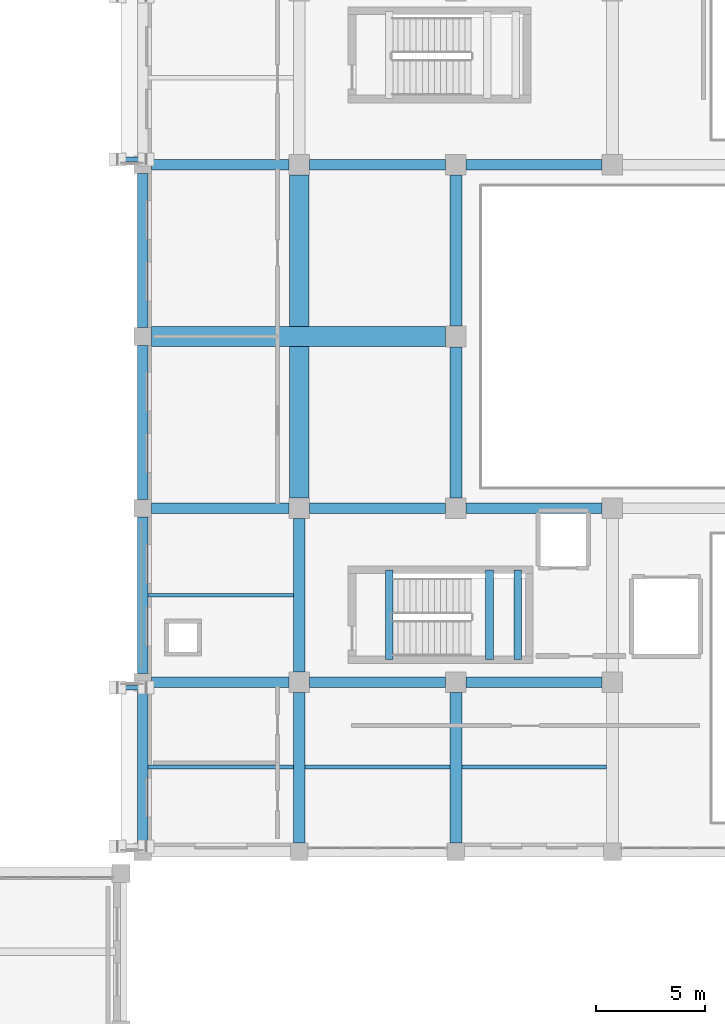
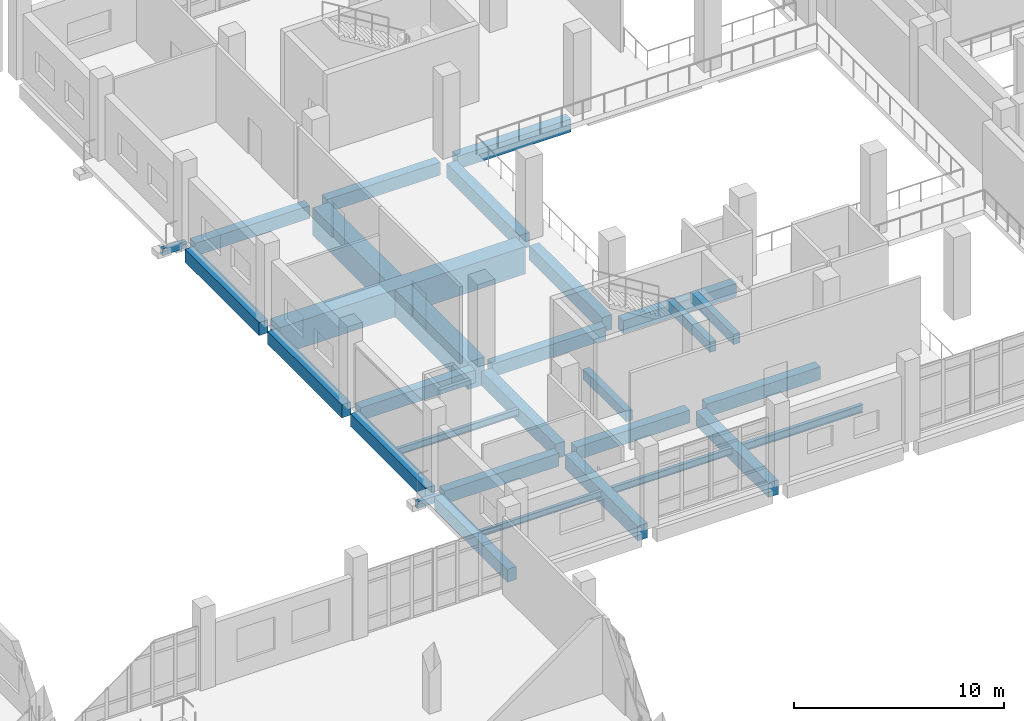
# One storey, part 12 of 90: 29 beams.
"""IFC4 building model written with IfcOpenShell, lengths in metres."""

from ifc_helpers import new_model, si_unit, direction, frame, origin, origin_2d, place, context, subcontext, project, spatial, rectangle, hollow_rectangle, i_section, extrude, material, material_profile, profile_set, type_object, element, save


model = new_model("IFC4")

# Units and contexts
model_context = context("Model", 3, precision=1e-05, world=origin(), true_north=direction((0.0, 1.0)))
body_context = subcontext(model_context, "Body", "Model", "MODEL_VIEW")
ifc_project = project(units=[si_unit("LENGTHUNIT", "METRE"), si_unit("AREAUNIT", "SQUARE_METRE"), si_unit("VOLUMEUNIT", "CUBIC_METRE"), si_unit("PLANEANGLEUNIT", "RADIAN"), si_unit("MASSUNIT", "GRAM", prefix="KILO")], contexts=[model_context])

# Site, building, storey
site_placement = place(None, origin())
site = spatial("IfcSite", under=ifc_project, at=site_placement, CompositionType="ELEMENT")
building_placement = place(site_placement, origin())
building = spatial("IfcBuilding", under=site, at=building_placement, Name="Kelarvand Opera House", CompositionType="ELEMENT")
storey_placement = place(building_placement, frame((0.0, 0.0, 5.39990234375)))
storey = spatial("IfcBuildingStorey", under=building, at=storey_placement, Name="L01", CompositionType="ELEMENT", Elevation=5.39990234375)

# Beams
ifc_material_1 = material(Name="Concrete C35/45", Category="concrete")
ifc_material_profile_1 = material_profile(ifc_material_1, rectangle(XDim=0.35009765625, YDim=0.60009765625, at=origin_2d()), Name="RC 350x600", Category="concrete")
ifc_profile_set_1 = profile_set([ifc_material_profile_1], Name="Concrete C35/45")
beam_type_1 = type_object("IfcBeamType", Name="Structural Beam RC 350x600 BM-RC350x600", PredefinedType="BEAM", material=ifc_profile_set_1)
for number, where, z_axis, x_axis, name in (
    (1, (63.340087890625, 47.64990234375, -0.52001953125), (0.0, 1.0, 0.0), (-1.0, 0.0, 0.0), "C2 Stair Landing Support Beam L01"),
    (2, (67.949951171875, 47.64990234375, 1.900146484375), (0.0, 1.0, 0.0), (-1.0, 0.0, 0.0), "C2 Stair Half-Landing Beam 1 L01"),
    (3, (69.25, 47.64990234375, 1.900146484375), (0.0, 1.0, 0.0), (-1.0, 0.0, 0.0), "C2 Stair Half-Landing Beam 2 L01"),
):
    element("IfcBeam", number, at=place(storey_placement, frame(where, z_axis=z_axis, x_axis=x_axis)), inside=storey, type_object=beam_type_1, Name=name, PredefinedType="BEAM", context=body_context, shape_type="SweptSolid", body=[
        extrude(rectangle(XDim=0.35009765625, YDim=0.60009765625, at=origin_2d()), origin(), (0.0, 0.0, 1.0), 4.10009765625),
    ])
ifc_material_2 = material(Name="Concrete C40/50", Category="concrete")
ifc_material_profile_2 = material_profile(ifc_material_2, rectangle(XDim=0.5, YDim=0.75, at=origin_2d()), Name="RC 500x750", Category="concrete")
ifc_profile_set_2 = profile_set([ifc_material_profile_2], Name="Concrete C40/50")
beam_type_2 = type_object("IfcBeamType", Name="Structural Beam RC 500x750 BM-RC500x750", PredefinedType="BEAM", material=ifc_profile_set_2)
beam_1_placement = place(storey_placement, frame((52.409912109375, 46.60009765625, -0.6748046875), z_axis=(1.0, 0.0, 0.0), x_axis=(0.0, 1.0, 0.0)))
element("IfcBeam", 4, at=beam_1_placement, inside=storey, type_object=beam_type_2, Name="V2 L01 Beam BM-RC500x750", PredefinedType="BEAM", context=body_context, shape_type="SweptSolid", body=[
    extrude(rectangle(XDim=0.5, YDim=0.75, at=origin_2d()), origin(), (0.0, 0.0, 1.0), 6.315185546875),
])
for number, where, z_axis, x_axis, name in (
    (5, (59.675048828125, 46.60009765625, -0.6748046875), (1.0, 0.0, 0.0), (0.0, 1.0, 0.0), "V2 L01 Beam BM-RC500x750"),
    (6, (66.875, 46.60009765625, -0.6748046875), (1.0, 0.0, 0.0), (0.0, 1.0, 0.0), "V2 L01 Beam BM-RC500x750"),
):
    element("IfcBeam", number, at=place(storey_placement, frame(where, z_axis=z_axis, x_axis=x_axis)), inside=storey, type_object=beam_type_2, Name=name, PredefinedType="BEAM", context=body_context, shape_type="SweptSolid", body=[
        extrude(rectangle(XDim=0.5, YDim=0.75, at=origin_2d()), origin(), (0.0, 0.0, 1.0), 6.25),
    ])
beam_2_placement = place(storey_placement, frame((52.409912109375, 54.60009765625, -0.6748046875), z_axis=(1.0, 0.0, 0.0), x_axis=(0.0, 1.0, 0.0)))
element("IfcBeam", 7, at=beam_2_placement, inside=storey, type_object=beam_type_2, Name="V2 L01 Beam BM-RC500x750", PredefinedType="BEAM", context=body_context, shape_type="SweptSolid", body=[
    extrude(rectangle(XDim=0.5, YDim=0.75, at=origin_2d()), origin(), (0.0, 0.0, 1.0), 6.315185546875),
])
for number, where, z_axis, x_axis, name in (
    (8, (59.675048828125, 54.60009765625, -0.6748046875), (1.0, 0.0, 0.0), (0.0, 1.0, 0.0), "V2 L01 Beam BM-RC500x750"),
    (9, (66.875, 54.60009765625, -0.6748046875), (1.0, 0.0, 0.0), (0.0, 1.0, 0.0), "V2 L01 Beam BM-RC500x750"),
):
    element("IfcBeam", number, at=place(storey_placement, frame(where, z_axis=z_axis, x_axis=x_axis)), inside=storey, type_object=beam_type_2, Name=name, PredefinedType="BEAM", context=body_context, shape_type="SweptSolid", body=[
        extrude(rectangle(XDim=0.5, YDim=0.75, at=origin_2d()), origin(), (0.0, 0.0, 1.0), 6.25),
    ])
beam_3_placement = place(storey_placement, frame((52.409912109375, 70.39990234375, -0.6748046875), z_axis=(1.0, 0.0, 0.0), x_axis=(0.0, 1.0, 0.0)))
element("IfcBeam", 10, at=beam_3_placement, inside=storey, type_object=beam_type_2, Name="V2 L01 Beam BM-RC500x750", PredefinedType="BEAM", context=body_context, shape_type="SweptSolid", body=[
    extrude(rectangle(XDim=0.5, YDim=0.75, at=origin_2d()), origin(), (0.0, 0.0, 1.0), 6.315185546875),
])
for number, where, z_axis, x_axis, name in (
    (11, (59.675048828125, 70.39990234375, -0.6748046875), (1.0, 0.0, 0.0), (0.0, 1.0, 0.0), "V2 L01 Beam BM-RC500x750"),
    (12, (66.875, 70.39990234375, -0.6748046875), (1.0, 0.0, 0.0), (0.0, 1.0, 0.0), "V2 L01 Beam BM-RC500x750"),
):
    element("IfcBeam", number, at=place(storey_placement, frame(where, z_axis=z_axis, x_axis=x_axis)), inside=storey, type_object=beam_type_2, Name=name, PredefinedType="BEAM", context=body_context, shape_type="SweptSolid", body=[
        extrude(rectangle(XDim=0.5, YDim=0.75, at=origin_2d()), origin(), (0.0, 0.0, 1.0), 6.25),
    ])
ifc_material_profile_3 = material_profile(ifc_material_2, rectangle(XDim=0.550048828125, YDim=0.85009765625, at=origin_2d()), Name="RC 550x850", Category="concrete")
ifc_profile_set_3 = profile_set([ifc_material_profile_3], Name="Concrete C40/50")
beam_type_3 = type_object("IfcBeamType", Name="Structural Beam RC 550x850 BM-RC550x850", PredefinedType="BEAM", material=ifc_profile_set_3)
beam_4_placement = place(storey_placement, frame((59.199951171875, 39.2099609375, -0.724853515625), z_axis=(0.0, 1.0, 0.0), x_axis=(-1.0, 0.0, 0.0)))
element("IfcBeam", 13, at=beam_4_placement, inside=storey, type_object=beam_type_3, Name="V2 L01 Beam BM-RC550x850", PredefinedType="BEAM", context=body_context, shape_type="SweptSolid", body=[
    extrude(rectangle(XDim=0.550048828125, YDim=0.85009765625, at=origin_2d()), origin(), (0.0, 0.0, 1.0), 6.9150390625),
])
beam_5_placement = place(storey_placement, frame((59.199951171875, 47.074951171875, -0.724853515625), z_axis=(0.0, 1.0, 0.0), x_axis=(-1.0, 0.0, 0.0)))
element("IfcBeam", 14, at=beam_5_placement, inside=storey, type_object=beam_type_3, Name="V2 L01 Beam BM-RC550x850", PredefinedType="BEAM", context=body_context, shape_type="SweptSolid", body=[
    extrude(rectangle(XDim=0.550048828125, YDim=0.85009765625, at=origin_2d()), origin(), (0.0, 0.0, 1.0), 7.050048828125),
])
beam_6_placement = place(storey_placement, frame((66.39990234375, 39.2099609375, -0.724853515625), z_axis=(0.0, 1.0, 0.0), x_axis=(-1.0, 0.0, 0.0)))
element("IfcBeam", 15, at=beam_6_placement, inside=storey, type_object=beam_type_3, Name="V2 L01 Beam BM-RC550x850", PredefinedType="BEAM", context=body_context, shape_type="SweptSolid", body=[
    extrude(rectangle(XDim=0.550048828125, YDim=0.85009765625, at=origin_2d()), origin(), (0.0, 0.0, 1.0), 6.9150390625),
])
for number, where, z_axis, x_axis, name in (
    (16, (66.39990234375, 55.074951171875, -0.724853515625), (0.0, 1.0, 0.0), (-1.0, 0.0, 0.0), "V2 L01 Beam BM-RC550x850"),
    (17, (66.39990234375, 62.97509765625, -0.724853515625), (0.0, 1.0, 0.0), (-1.0, 0.0, 0.0), "V2 L01 Beam BM-RC550x850"),
):
    element("IfcBeam", number, at=place(storey_placement, frame(where, z_axis=z_axis, x_axis=x_axis)), inside=storey, type_object=beam_type_3, Name=name, PredefinedType="BEAM", context=body_context, shape_type="SweptSolid", body=[
        extrude(rectangle(XDim=0.550048828125, YDim=0.85009765625, at=origin_2d()), origin(), (0.0, 0.0, 1.0), 6.949951171875),
    ])
ifc_material_profile_4 = material_profile(ifc_material_2, rectangle(XDim=0.89990234375, YDim=1.60009765625, at=origin_2d()), Name="RC 900x1600", Category="concrete")
ifc_profile_set_4 = profile_set([ifc_material_profile_4], Name="Concrete C40/50")
beam_type_4 = type_object("IfcBeamType", Name="Structural Beam RC 900x1600 BM-RC900x1600", PredefinedType="BEAM", material=ifc_profile_set_4)
beam_7_placement = place(storey_placement, frame((52.409912109375, 62.5, -1.099853515625), z_axis=(1.0, 0.0, 0.0), x_axis=(0.0, 1.0, 0.0)))
element("IfcBeam", 18, at=beam_7_placement, inside=storey, type_object=beam_type_4, Name="V2 L01 Beam BM-RC900x1600", PredefinedType="BEAM", context=body_context, shape_type="SweptSolid", body=[
    extrude(rectangle(XDim=0.89990234375, YDim=1.60009765625, at=origin_2d()), origin(), (0.0, 0.0, 1.0), 13.51513671875),
])
beam_8_placement = place(storey_placement, frame((59.199951171875, 55.074951171875, -1.099853515625), z_axis=(0.0, 1.0, 0.0), x_axis=(-1.0, 0.0, 0.0)))
element("IfcBeam", 19, at=beam_8_placement, inside=storey, type_object=beam_type_4, Name="V2 L01 Beam BM-RC900x1600", PredefinedType="BEAM", context=body_context, shape_type="SweptSolid", body=[
    extrude(rectangle(XDim=0.89990234375, YDim=1.60009765625, at=origin_2d()), origin(), (0.0, 0.0, 1.0), 14.85009765625),
])
ifc_material_3 = material(Name="Steel S355", Category="steel")
ifc_material_profile_5 = material_profile(ifc_material_3, hollow_rectangle(XDim=0.199951171875, YDim=0.39990234375, WallThickness=0.01611328125, at=origin_2d()), Name="RHS 400x200x16.0", Category="steel")
ifc_profile_set_5 = profile_set([ifc_material_profile_5], Name="Steel S355")
beam_type_5 = type_object("IfcBeamType", Name="Structural Beam RHS 400x200x16.0 BM-RHS400", PredefinedType="BEAM", material=ifc_profile_set_5)
for number, where, z_axis, x_axis, name in (
    (20, (50.85009765625, 70.64990234375, -0.52001953125), (1.0, 0.0, 0.0), (0.0, 1.0, 0.0), "Seismic Sliding Corbel Beam BR-JW-N L01 1"),
    (21, (50.85009765625, 46.35009765625, -0.52001953125), (1.0, 0.0, 0.0), (0.0, 1.0, 0.0), "Seismic Sliding Corbel Beam BR-JW-S L01 2"),
):
    element("IfcBeam", number, at=place(storey_placement, frame(where, z_axis=z_axis, x_axis=x_axis)), inside=storey, type_object=beam_type_5, Name=name, PredefinedType="BEAM", context=body_context, shape_type="SweptSolid", body=[
        extrude(hollow_rectangle(XDim=0.199951171875, YDim=0.39990234375, WallThickness=0.01611328125, at=origin_2d()), origin(), (0.0, 0.0, 1.0), 1.2998046875),
    ])
ifc_material_profile_6 = material_profile(ifc_material_3, i_section(OverallWidth=0.169921875, OverallDepth=0.360107421875, WebThickness=0.008056640625, FlangeThickness=0.0126953125, at=origin_2d()), Name="IPE 360", Category="steel")
ifc_profile_set_6 = profile_set([ifc_material_profile_6], Name="Steel S355")
beam_type_6 = type_object("IfcBeamType", Name="Structural Joist IPE 360 JS-IPE360", PredefinedType="JOIST", material=ifc_profile_set_6)
beam_9_placement = place(storey_placement, frame((52.25, 42.699951171875, -0.47998046875), z_axis=(1.0, 0.0, 0.0), x_axis=(0.0, 1.0, 0.0)))
element("IfcBeam", 22, at=beam_9_placement, inside=storey, type_object=beam_type_6, Name="V2 L01 Beam JS-IPE360", PredefinedType="JOIST", context=body_context, shape_type="SweptSolid", body=[
    extrude(i_section(OverallWidth=0.169921875, OverallDepth=0.360107421875, WebThickness=0.008056640625, FlangeThickness=0.0126953125, at=origin_2d()), origin(), (0.0, 0.0, 1.0), 6.675048828125),
])
ifc_material_profile_7 = material_profile(ifc_material_3, i_section(OverallWidth=0.179931640625, OverallDepth=0.39990234375, WebThickness=0.008544921875, FlangeThickness=0.013427734375, at=origin_2d()), Name="IPE 400", Category="steel")
ifc_profile_set_7 = profile_set([ifc_material_profile_7], Name="Steel S355")
beam_type_7 = type_object("IfcBeamType", Name="Structural Joist IPE 400 JS-IPE400", PredefinedType="JOIST", material=ifc_profile_set_7)
beam_10_placement = place(storey_placement, frame((52.25, 50.60009765625, -0.5), z_axis=(1.0, 0.0, 0.0), x_axis=(0.0, 1.0, 0.0)))
element("IfcBeam", 23, at=beam_10_placement, inside=storey, type_object=beam_type_7, Name="V2 L01 Beam JS-IPE400", PredefinedType="JOIST", context=body_context, shape_type="SweptSolid", body=[
    extrude(i_section(OverallWidth=0.179931640625, OverallDepth=0.39990234375, WebThickness=0.008544921875, FlangeThickness=0.013427734375, at=origin_2d()), origin(), (0.0, 0.0, 1.0), 6.675048828125),
])
beam_11_placement = place(storey_placement, frame((59.47509765625, 42.699951171875, -0.5), z_axis=(1.0, 0.0, 0.0), x_axis=(0.0, 1.0, 0.0)))
element("IfcBeam", 24, at=beam_11_placement, inside=storey, type_object=beam_type_7, Name="V2 L01 Beam JS-IPE400", PredefinedType="JOIST", context=body_context, shape_type="SweptSolid", body=[
    extrude(i_section(OverallWidth=0.179931640625, OverallDepth=0.39990234375, WebThickness=0.008544921875, FlangeThickness=0.013427734375, at=origin_2d()), origin(), (0.0, 0.0, 1.0), 6.64990234375),
])
ifc_material_profile_8 = material_profile(ifc_material_3, i_section(OverallWidth=0.18994140625, OverallDepth=0.449951171875, WebThickness=0.009521484375, FlangeThickness=0.0146484375, at=origin_2d()), Name="IPE 450", Category="steel")
ifc_profile_set_8 = profile_set([ifc_material_profile_8], Name="Steel S355")
beam_type_8 = type_object("IfcBeamType", Name="Structural Joist IPE 450 JS-IPE450", PredefinedType="JOIST", material=ifc_profile_set_8)
beam_12_placement = place(storey_placement, frame((66.675048828125, 42.699951171875, -0.52490234375), z_axis=(1.0, 0.0, 0.0), x_axis=(0.0, 1.0, 0.0)))
element("IfcBeam", 25, at=beam_12_placement, inside=storey, type_object=beam_type_8, Name="V2 L01 Beam JS-IPE450", PredefinedType="JOIST", context=body_context, shape_type="SweptSolid", body=[
    extrude(i_section(OverallWidth=0.18994140625, OverallDepth=0.449951171875, WebThickness=0.009521484375, FlangeThickness=0.0146484375, at=origin_2d()), origin(), (0.0, 0.0, 1.0), 6.64990234375),
])
ifc_material_profile_9 = material_profile(ifc_material_2, rectangle(XDim=0.5, YDim=0.75, at=origin_2d()), Name="RC 500x750", Category="concrete")
ifc_profile_set_9 = profile_set([ifc_material_profile_9], Name="Concrete C40/50")
beam_type_9 = type_object("IfcBeamType", Name="Structural Spandrel RC 500x750 SP-RC500x750E", PredefinedType="SPANDREL", material=ifc_profile_set_9)
beam_13_placement = place(storey_placement, frame((52.0, 39.2099609375, -0.6748046875), z_axis=(0.0, 1.0, 0.0), x_axis=(-1.0, 0.0, 0.0)))
element("IfcBeam", 26, at=beam_13_placement, inside=storey, type_object=beam_type_9, Name="V2 L01 Beam SP-RC500x750E", PredefinedType="SPANDREL", context=body_context, shape_type="SweptSolid", body=[
    extrude(rectangle(XDim=0.5, YDim=0.75, at=origin_2d()), origin(), (0.0, 0.0, 1.0), 6.97998046875),
])
beam_14_placement = place(storey_placement, frame((52.0, 47.010009765625, -0.6748046875), z_axis=(0.0, 1.0, 0.0), x_axis=(-1.0, 0.0, 0.0)))
element("IfcBeam", 27, at=beam_14_placement, inside=storey, type_object=beam_type_9, Name="V2 L01 Beam SP-RC500x750E", PredefinedType="SPANDREL", context=body_context, shape_type="SweptSolid", body=[
    extrude(rectangle(XDim=0.5, YDim=0.75, at=origin_2d()), origin(), (0.0, 0.0, 1.0), 7.179931640625),
])
for number, where, z_axis, x_axis, name in (
    (28, (52.0, 55.010009765625, -0.6748046875), (0.0, 1.0, 0.0), (-1.0, 0.0, 0.0), "V2 L01 Beam SP-RC500x750E"),
    (29, (52.0, 62.909912109375, -0.6748046875), (0.0, 1.0, 0.0), (-1.0, 0.0, 0.0), "V2 L01 Beam SP-RC500x750E"),
):
    element("IfcBeam", number, at=place(storey_placement, frame(where, z_axis=z_axis, x_axis=x_axis)), inside=storey, type_object=beam_type_9, Name=name, PredefinedType="SPANDREL", context=body_context, shape_type="SweptSolid", body=[
        extrude(rectangle(XDim=0.5, YDim=0.75, at=origin_2d()), origin(), (0.0, 0.0, 1.0), 7.080078125),
    ])

save(model, "model.ifc")
